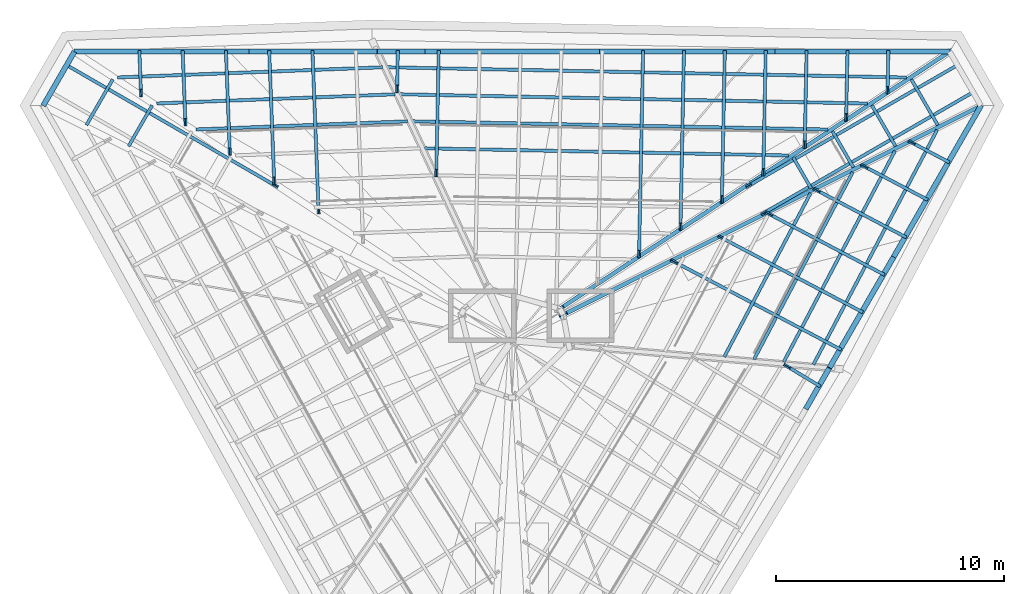
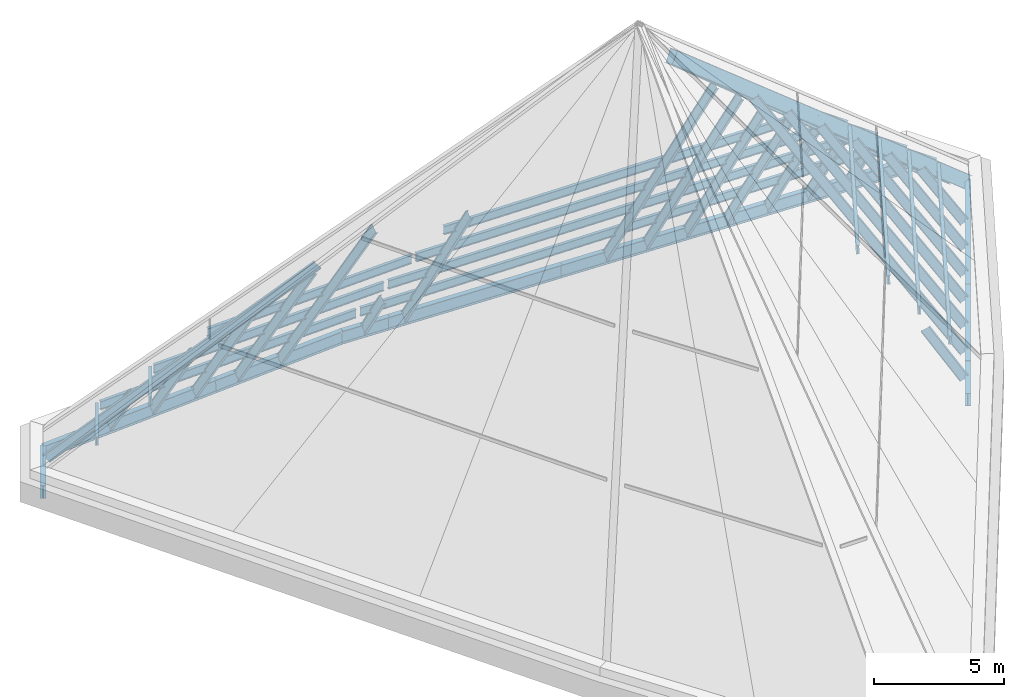
# One storey, part 3 of 6: 43 members, 10 beams.
"""IFC4 building model written with IfcOpenShell, lengths in metres."""

from ifc_helpers import new_model, si_unit, direction, frame, origin, origin_2d, place, context, subcontext, project, spatial, i_section, extrude, material, material_profile, profile_set, type_object, element, save


model = new_model("IFC4")

# Units and contexts
model_context = context("Model", 3, precision=1e-05, world=origin(), true_north=direction((0.0, 1.0)))
body_context = subcontext(model_context, "Body", "Model", "MODEL_VIEW")
ifc_project = project(units=[si_unit("LENGTHUNIT", "METRE"), si_unit("AREAUNIT", "SQUARE_METRE"), si_unit("VOLUMEUNIT", "CUBIC_METRE"), si_unit("PLANEANGLEUNIT", "RADIAN"), si_unit("MASSUNIT", "GRAM", prefix="KILO")], contexts=[model_context])

# Site, building, storey
site_placement = place(None, origin())
site = spatial("IfcSite", under=ifc_project, at=site_placement, CompositionType="ELEMENT")
building_placement = place(site_placement, origin())
building = spatial("IfcBuilding", under=site, at=building_placement, Name="Verrane Prism Tower", CompositionType="ELEMENT")
storey_placement = place(building_placement, frame((0.0, 0.0, 333.60009765625)))
storey = spatial("IfcBuildingStorey", under=building, at=storey_placement, Name="Roof", CompositionType="ELEMENT", Elevation=333.60009765625)

# Members
ifc_material_1 = material(Name="Steel A992", Category="steel")
ifc_material_profile_1 = material_profile(ifc_material_1, i_section(OverallWidth=0.140380859375, OverallDepth=0.40380859375, WebThickness=0.007080078125, FlangeThickness=0.01123046875, FilletRadius=0.01025390625, at=origin_2d()), Name="W16x31")
ifc_profile_set_1 = profile_set([ifc_material_profile_1], Name="Steel A992")
member_type_1 = type_object("IfcMemberType", Name="Common rafter W16x31", PredefinedType="RAFTER", material=ifc_profile_set_1)
member_1_placement = place(storey_placement, frame((20.0986328125, 10.8154296875, -0.71142578125), z_axis=(-0.652629324317, -0.376804131599, 0.657338277792), x_axis=(0.500008375347, -0.866020568222, 0.0)))
element("IfcMember", 1, at=member_1_placement, inside=storey, type_object=member_type_1, Name="Common rafter", PredefinedType="RAFTER", context=body_context, shape_type="SweptSolid", body=[
    extrude(i_section(OverallWidth=0.140380859375, OverallDepth=0.40380859375, WebThickness=0.007080078125, FlangeThickness=0.01123046875, FilletRadius=0.01025390625, at=origin_2d()), origin(), (0.0, 0.0, 1.0), 13.894775390625),
])
member_2_placement = place(storey_placement, frame((19.41357421875, 12.00048828125, -0.710693359375), z_axis=(-0.65263057694, -0.376809648609, 0.657333871605), x_axis=(0.500013146181, -0.8660178137, 0.0)))
element("IfcMember", 2, at=member_2_placement, inside=storey, type_object=member_type_1, Name="Common rafter", PredefinedType="RAFTER", context=body_context, shape_type="SweptSolid", body=[
    extrude(i_section(OverallWidth=0.140380859375, OverallDepth=0.40380859375, WebThickness=0.007080078125, FlangeThickness=0.01123046875, FilletRadius=0.01025390625, at=origin_2d()), origin(), (0.0, 0.0, 1.0), 13.859619140625),
])
member_3_placement = place(storey_placement, frame((16.481689453125, 12.535888671875, -0.6572265625), z_axis=(-0.010750471834, -0.5456499326, 0.83794425734), x_axis=(0.999805969309, -0.019698318043, 0.0)))
element("IfcMember", 3, at=member_3_placement, inside=storey, type_object=member_type_1, Name="Common rafter", PredefinedType="RAFTER", context=body_context, shape_type="SweptSolid", body=[
    extrude(i_section(OverallWidth=0.140380859375, OverallDepth=0.40380859375, WebThickness=0.007080078125, FlangeThickness=0.01123046875, FilletRadius=0.01025390625, at=origin_2d()), origin(), (0.0, 0.0, 1.0), 2.884033203125),
])
member_4_placement = place(storey_placement, frame((14.69091796875, 12.535888671875, -0.602783203125), z_axis=(-0.010769196954, -0.545671363505, 0.837930061191), x_axis=(0.999805308284, -0.019731840445, 0.0)))
element("IfcMember", 4, at=member_4_placement, inside=storey, type_object=member_type_1, Name="Common rafter", PredefinedType="RAFTER", context=body_context, shape_type="SweptSolid", body=[
    extrude(i_section(OverallWidth=0.140380859375, OverallDepth=0.40380859375, WebThickness=0.007080078125, FlangeThickness=0.01123046875, FilletRadius=0.01025390625, at=origin_2d()), origin(), (0.0, 0.0, 1.0), 5.078125),
])
member_5_placement = place(storey_placement, frame((12.900146484375, 12.535888671875, -0.548583984375), z_axis=(-0.010776017069, -0.545649163378, 0.837944430115), x_axis=(0.999805045824, -0.019745134718, 0.0)))
element("IfcMember", 5, at=member_5_placement, inside=storey, type_object=member_type_1, Name="Common rafter", PredefinedType="RAFTER", context=body_context, shape_type="SweptSolid", body=[
    extrude(i_section(OverallWidth=0.140380859375, OverallDepth=0.40380859375, WebThickness=0.007080078125, FlangeThickness=0.01123046875, FilletRadius=0.01025390625, at=origin_2d()), origin(), (0.0, 0.0, 1.0), 7.2724609375),
])
member_6_placement = place(storey_placement, frame((11.109619140625, 12.535888671875, -0.494384765625), z_axis=(-0.01077990837, -0.545649046172, 0.837944456386), x_axis=(0.999804904957, -0.019752266295, 0.0)))
element("IfcMember", 6, at=member_6_placement, inside=storey, type_object=member_type_1, Name="Common rafter", PredefinedType="RAFTER", context=body_context, shape_type="SweptSolid", body=[
    extrude(i_section(OverallWidth=0.140380859375, OverallDepth=0.40380859375, WebThickness=0.007080078125, FlangeThickness=0.01123046875, FilletRadius=0.01025390625, at=origin_2d()), origin(), (0.0, 0.0, 1.0), 9.466796875),
])
member_7_placement = place(storey_placement, frame((9.31884765625, 12.535888671875, -0.43994140625), z_axis=(-0.010782335244, -0.54564897307, 0.837944472763), x_axis=(0.999804817077, -0.01975671402, 0.0)))
element("IfcMember", 7, at=member_7_placement, inside=storey, type_object=member_type_1, Name="Common rafter", PredefinedType="RAFTER", context=body_context, shape_type="SweptSolid", body=[
    extrude(i_section(OverallWidth=0.140380859375, OverallDepth=0.40380859375, WebThickness=0.007080078125, FlangeThickness=0.01123046875, FilletRadius=0.01025390625, at=origin_2d()), origin(), (0.0, 0.0, 1.0), 11.660888671875),
])
member_8_placement = place(storey_placement, frame((7.528076171875, 12.535888671875, -0.385498046875), z_axis=(-0.010784152674, -0.545656979905, 0.837939235465), x_axis=(0.999804757021, -0.019759752997, 0.0)))
element("IfcMember", 8, at=member_8_placement, inside=storey, type_object=member_type_1, Name="Common rafter", PredefinedType="RAFTER", context=body_context, shape_type="SweptSolid", body=[
    extrude(i_section(OverallWidth=0.140380859375, OverallDepth=0.40380859375, WebThickness=0.007080078125, FlangeThickness=0.01123046875, FilletRadius=0.01025390625, at=origin_2d()), origin(), (0.0, 0.0, 1.0), 13.85498046875),
])
member_9_placement = place(storey_placement, frame((5.7373046875, 12.535888671875, -0.331298828125), z_axis=(-0.010770125441, -0.54565593157, 0.837940098539), x_axis=(0.99980526371, -0.019734098877, 0.0)))
element("IfcMember", 9, at=member_9_placement, inside=storey, type_object=member_type_1, Name="Common rafter", PredefinedType="RAFTER", context=body_context, shape_type="SweptSolid", body=[
    extrude(i_section(OverallWidth=0.140380859375, OverallDepth=0.40380859375, WebThickness=0.007080078125, FlangeThickness=0.01123046875, FilletRadius=0.01025390625, at=origin_2d()), origin(), (0.0, 0.0, 1.0), 16.049072265625),
])
member_10_placement = place(storey_placement, frame((-3.21630859375, 12.535888671875, -0.059814453125), z_axis=(-0.01076701048, -0.545664930146, 0.837934278744), x_axis=(0.999805382722, -0.019728068341, 0.0)))
element("IfcMember", 10, at=member_10_placement, inside=storey, type_object=member_type_1, Name="Common rafter", PredefinedType="RAFTER", context=body_context, shape_type="SweptSolid", body=[
    extrude(i_section(OverallWidth=0.140380859375, OverallDepth=0.40380859375, WebThickness=0.007080078125, FlangeThickness=0.01123046875, FilletRadius=0.01025390625, at=origin_2d()), origin(), (0.0, 0.0, 1.0), 9.546142578125),
])
member_11_placement = place(storey_placement, frame((-5.0068359375, 12.535888671875, -0.005615234375), z_axis=(-0.010828306995, -0.545606952434, 0.837971241286), x_axis=(0.999803119338, -0.01984244347, 0.0)))
element("IfcMember", 11, at=member_11_placement, inside=storey, type_object=member_type_1, Name="Common rafter", PredefinedType="RAFTER", context=body_context, shape_type="SweptSolid", body=[
    extrude(i_section(OverallWidth=0.140380859375, OverallDepth=0.40380859375, WebThickness=0.007080078125, FlangeThickness=0.01123046875, FilletRadius=0.01025390625, at=origin_2d()), origin(), (0.0, 0.0, 1.0), 2.795654296875),
])
member_12_placement = place(storey_placement, frame((-8.7392578125, 12.535888671875, -0.138916015625), z_axis=(0.021309219692, -0.555507945008, 0.831238136871), x_axis=(0.99926507067, 0.038331691046, 0.0)))
element("IfcMember", 12, at=member_12_placement, inside=storey, type_object=member_type_1, Name="Common rafter", PredefinedType="RAFTER", context=body_context, shape_type="SweptSolid", body=[
    extrude(i_section(OverallWidth=0.140380859375, OverallDepth=0.40380859375, WebThickness=0.007080078125, FlangeThickness=0.01123046875, FilletRadius=0.01025390625, at=origin_2d()), origin(), (0.0, 0.0, 1.0), 12.304931640625),
])
member_13_placement = place(storey_placement, frame((-10.635009765625, 12.535888671875, -0.247314453125), z_axis=(0.021301148852, -0.555515396846, 0.831233363698), x_axis=(0.999265646339, 0.038316681043, 0.0)))
element("IfcMember", 13, at=member_13_placement, inside=storey, type_object=member_type_1, Name="Common rafter", PredefinedType="RAFTER", context=body_context, shape_type="SweptSolid", body=[
    extrude(i_section(OverallWidth=0.140380859375, OverallDepth=0.40380859375, WebThickness=0.007080078125, FlangeThickness=0.01123046875, FilletRadius=0.01025390625, at=origin_2d()), origin(), (0.0, 0.0, 1.0), 9.994384765625),
])
member_14_placement = place(storey_placement, frame((-12.530517578125, 12.535888671875, -0.356201171875), z_axis=(0.02128709972, -0.555497987317, 0.831245358166), x_axis=(0.999266567719, 0.038292644725, 0.0)))
element("IfcMember", 14, at=member_14_placement, inside=storey, type_object=member_type_1, Name="Common rafter", PredefinedType="RAFTER", context=body_context, shape_type="SweptSolid", body=[
    extrude(i_section(OverallWidth=0.140380859375, OverallDepth=0.40380859375, WebThickness=0.007080078125, FlangeThickness=0.01123046875, FilletRadius=0.01025390625, at=origin_2d()), origin(), (0.0, 0.0, 1.0), 7.68408203125),
])
member_15_placement = place(storey_placement, frame((-14.42626953125, 12.535888671875, -0.464599609375), z_axis=(0.021262577934, -0.555507564963, 0.831239585227), x_axis=(0.999268279859, 0.038247939394, 0.0)))
element("IfcMember", 15, at=member_15_placement, inside=storey, type_object=member_type_1, Name="Common rafter", PredefinedType="RAFTER", context=body_context, shape_type="SweptSolid", body=[
    extrude(i_section(OverallWidth=0.140380859375, OverallDepth=0.40380859375, WebThickness=0.007080078125, FlangeThickness=0.01123046875, FilletRadius=0.01025390625, at=origin_2d()), origin(), (0.0, 0.0, 1.0), 5.373779296875),
])
member_16_placement = place(storey_placement, frame((-16.322021484375, 12.535888671875, -0.5732421875), z_axis=(0.021280729322, -0.555530649334, 0.831223693244), x_axis=(0.99926709224, 0.038278954609, 0.0)))
element("IfcMember", 16, at=member_16_placement, inside=storey, type_object=member_type_1, Name="Common rafter", PredefinedType="RAFTER", context=body_context, shape_type="SweptSolid", body=[
    extrude(i_section(OverallWidth=0.140380859375, OverallDepth=0.40380859375, WebThickness=0.007080078125, FlangeThickness=0.01123046875, FilletRadius=0.01025390625, at=origin_2d()), origin(), (0.0, 0.0, 1.0), 3.063232421875),
])
member_17_placement = place(storey_placement, frame((-19.41357421875, 12.00048828125, -0.710693359375), z_axis=(0.65263057694, -0.376809648609, 0.657333871605), x_axis=(0.500013146181, 0.8660178137, 0.0)))
element("IfcMember", 17, at=member_17_placement, inside=storey, type_object=member_type_1, Name="Common rafter", PredefinedType="RAFTER", context=body_context, shape_type="SweptSolid", body=[
    extrude(i_section(OverallWidth=0.140380859375, OverallDepth=0.40380859375, WebThickness=0.007080078125, FlangeThickness=0.01123046875, FilletRadius=0.01025390625, at=origin_2d()), origin(), (0.0, 0.0, 1.0), 13.859619140625),
])
member_18_placement = place(storey_placement, frame((13.354736328125, -1.9267578125, 0.005126953125), z_axis=(-0.467150677319, 0.282195004253, 0.837935692195), x_axis=(-0.517059445273, -0.855949490364, 0.0)))
element("IfcMember", 18, at=member_18_placement, inside=storey, type_object=member_type_1, Name="Common rafter", PredefinedType="RAFTER", context=body_context, shape_type="SweptSolid", body=[
    extrude(i_section(OverallWidth=0.140380859375, OverallDepth=0.40380859375, WebThickness=0.007080078125, FlangeThickness=0.01123046875, FilletRadius=0.01025390625, at=origin_2d()), origin(), (0.0, 0.0, 1.0), 2.79443359375),
])
member_19_placement = place(storey_placement, frame((14.273193359375, -0.3359375, -0.02001953125), z_axis=(-0.491724468789, 0.259288101394, 0.831250099109), x_axis=(-0.466430556433, -0.884557819493, 0.0)))
element("IfcMember", 19, at=member_19_placement, inside=storey, type_object=member_type_1, Name="Common rafter", PredefinedType="RAFTER", context=body_context, shape_type="SweptSolid", body=[
    extrude(i_section(OverallWidth=0.140380859375, OverallDepth=0.40380859375, WebThickness=0.007080078125, FlangeThickness=0.01123046875, FilletRadius=0.01025390625, at=origin_2d()), origin(), (0.0, 0.0, 1.0), 14.60205078125),
])
member_20_placement = place(storey_placement, frame((15.221923828125, 1.305419921875, -0.1298828125), z_axis=(-0.491738109746, 0.259293453637, 0.831240360139), x_axis=(-0.466427965687, -0.884559185597, 0.0)))
element("IfcMember", 20, at=member_20_placement, inside=storey, type_object=member_type_1, Name="Common rafter", PredefinedType="RAFTER", context=body_context, shape_type="SweptSolid", body=[
    extrude(i_section(OverallWidth=0.140380859375, OverallDepth=0.40380859375, WebThickness=0.007080078125, FlangeThickness=0.01123046875, FilletRadius=0.01025390625, at=origin_2d()), origin(), (0.0, 0.0, 1.0), 12.2939453125),
])
member_21_placement = place(storey_placement, frame((16.17041015625, 2.94677734375, -0.239501953125), z_axis=(-0.491740969697, 0.259318055121, 0.831230993774), x_axis=(-0.466460468442, -0.884542046135, 0.0)))
element("IfcMember", 21, at=member_21_placement, inside=storey, type_object=member_type_1, Name="Common rafter", PredefinedType="RAFTER", context=body_context, shape_type="SweptSolid", body=[
    extrude(i_section(OverallWidth=0.140380859375, OverallDepth=0.40380859375, WebThickness=0.007080078125, FlangeThickness=0.01123046875, FilletRadius=0.01025390625, at=origin_2d()), origin(), (0.0, 0.0, 1.0), 9.9853515625),
])
member_22_placement = place(storey_placement, frame((17.118896484375, 4.58837890625, -0.349365234375), z_axis=(-0.491727661324, 0.259284414874, 0.831249360476), x_axis=(-0.466422998072, -0.884561805003, 0.0)))
element("IfcMember", 22, at=member_22_placement, inside=storey, type_object=member_type_1, Name="Common rafter", PredefinedType="RAFTER", context=body_context, shape_type="SweptSolid", body=[
    extrude(i_section(OverallWidth=0.140380859375, OverallDepth=0.40380859375, WebThickness=0.007080078125, FlangeThickness=0.01123046875, FilletRadius=0.01025390625, at=origin_2d()), origin(), (0.0, 0.0, 1.0), 7.6767578125),
])
member_23_placement = place(storey_placement, frame((18.067626953125, 6.229736328125, -0.459228515625), z_axis=(-0.491760270142, 0.259295086032, 0.83122674107), x_axis=(-0.46641381691, -0.884566646101, 0.0)))
element("IfcMember", 23, at=member_23_placement, inside=storey, type_object=member_type_1, Name="Common rafter", PredefinedType="RAFTER", context=body_context, shape_type="SweptSolid", body=[
    extrude(i_section(OverallWidth=0.140380859375, OverallDepth=0.40380859375, WebThickness=0.007080078125, FlangeThickness=0.01123046875, FilletRadius=0.01025390625, at=origin_2d()), origin(), (0.0, 0.0, 1.0), 5.36865234375),
])
member_24_placement = place(storey_placement, frame((19.01611328125, 7.87109375, -0.569091796875), z_axis=(-0.491731272572, 0.259267786479, 0.831252410805), x_axis=(-0.466396912359, -0.884575559317, 0.0)))
element("IfcMember", 24, at=member_24_placement, inside=storey, type_object=member_type_1, Name="Common rafter", PredefinedType="RAFTER", context=body_context, shape_type="SweptSolid", body=[
    extrude(i_section(OverallWidth=0.140380859375, OverallDepth=0.40380859375, WebThickness=0.007080078125, FlangeThickness=0.01123046875, FilletRadius=0.01025390625, at=origin_2d()), origin(), (0.0, 0.0, 1.0), 3.060302734375),
])

# Beams
ifc_material_2 = material(Name="Steel A992", Category="steel")
ifc_material_profile_2 = material_profile(ifc_material_2, i_section(OverallWidth=0.228271484375, OverallDepth=0.607177734375, WebThickness=0.01123046875, FlangeThickness=0.017333984375, FilletRadius=0.0126953125, at=origin_2d()), Name="W24x76")
ifc_profile_set_2 = profile_set([ifc_material_profile_2], Name="Steel A992")
beam_type = type_object("IfcBeamType", Name="Eave ring beam W24x76", PredefinedType="BEAM", material=ifc_profile_set_2)
for number, where, z_axis, x_axis, name in (
    (25, (19.169921875, 12.64990234375, -0.847412109375), (-0.999541179145, 0.0, 0.030289126641), (0.0, -1.0, 0.0), "Eave ring beam"),
    (26, (11.5, 12.64990234375, -0.614990234375), (-0.999540215395, 0.0, 0.030320913715), (0.0, -1.0, 0.0), "Eave ring beam"),
):
    element("IfcBeam", number, at=place(storey_placement, frame(where, z_axis=z_axis, x_axis=x_axis)), inside=storey, type_object=beam_type, Name=name, PredefinedType="BEAM", context=body_context, shape_type="SweptSolid", body=[
        extrude(i_section(OverallWidth=0.228271484375, OverallDepth=0.607177734375, WebThickness=0.01123046875, FlangeThickness=0.017333984375, FilletRadius=0.0126953125, at=origin_2d()), origin(), (0.0, 0.0, 1.0), 7.67333984375),
    ])
beam_1_placement = place(storey_placement, frame((3.830078125, 12.64990234375, -0.38232421875), z_axis=(-0.999540009343, 0.0, 0.030327705536), x_axis=(0.0, -1.0, 0.0)))
element("IfcBeam", 27, at=beam_1_placement, inside=storey, type_object=beam_type, Name="Eave ring beam", PredefinedType="BEAM", context=body_context, shape_type="SweptSolid", body=[
    extrude(i_section(OverallWidth=0.228271484375, OverallDepth=0.607177734375, WebThickness=0.01123046875, FlangeThickness=0.017333984375, FilletRadius=0.0126953125, at=origin_2d()), origin(), (0.0, 0.0, 1.0), 7.66357421875),
])
beam_2_placement = place(storey_placement, frame((-3.830078125, 12.64990234375, -0.14990234375), z_axis=(-0.999540854598, 0.0, 0.030299834823), x_axis=(0.0, -1.0, 0.0)))
element("IfcBeam", 28, at=beam_2_placement, inside=storey, type_object=beam_type, Name="Eave ring beam", PredefinedType="BEAM", context=body_context, shape_type="SweptSolid", body=[
    extrude(i_section(OverallWidth=0.228271484375, OverallDepth=0.607177734375, WebThickness=0.01123046875, FlangeThickness=0.017333984375, FilletRadius=0.0126953125, at=origin_2d()), origin(), (0.0, 0.0, 1.0), 2.07080078125),
])
beam_3_placement = place(storey_placement, frame((-5.89990234375, 12.64990234375, -0.0869140625), z_axis=(-0.998363249918, 0.0, -0.057191093835), x_axis=(0.0, -1.0, 0.0)))
element("IfcBeam", 29, at=beam_3_placement, inside=storey, type_object=beam_type, Name="Eave ring beam", PredefinedType="BEAM", context=body_context, shape_type="SweptSolid", body=[
    extrude(i_section(OverallWidth=0.228271484375, OverallDepth=0.607177734375, WebThickness=0.01123046875, FlangeThickness=0.017333984375, FilletRadius=0.0126953125, at=origin_2d()), origin(), (0.0, 0.0, 1.0), 5.609375),
])
beam_4_placement = place(storey_placement, frame((-11.5, 12.64990234375, -0.40771484375), z_axis=(-0.998360819418, 0.0, -0.057233506359), x_axis=(0.0, -1.0, 0.0)))
element("IfcBeam", 30, at=beam_4_placement, inside=storey, type_object=beam_type, Name="Eave ring beam", PredefinedType="BEAM", context=body_context, shape_type="SweptSolid", body=[
    extrude(i_section(OverallWidth=0.228271484375, OverallDepth=0.607177734375, WebThickness=0.01123046875, FlangeThickness=0.017333984375, FilletRadius=0.0126953125, at=origin_2d()), origin(), (0.0, 0.0, 1.0), 7.6826171875),
])
beam_5_placement = place(storey_placement, frame((-19.169921875, 12.64990234375, -0.845703125), z_axis=(-0.500512299479, -0.865729310591, -0.000445930416), x_axis=(0.865729396668, -0.500512349243, 0.0)))
element("IfcBeam", 31, at=beam_5_placement, inside=storey, type_object=beam_type, Name="Eave ring beam", PredefinedType="BEAM", context=body_context, shape_type="SweptSolid", body=[
    extrude(i_section(OverallWidth=0.228271484375, OverallDepth=0.607177734375, WebThickness=0.01123046875, FlangeThickness=0.017333984375, FilletRadius=0.0126953125, at=origin_2d()), origin(), (0.0, 0.0, 1.0), 2.737548828125),
])
beam_6_placement = place(storey_placement, frame((12.8701171875, -3.0, -0.143310546875), z_axis=(0.498392452202, 0.866337946786, 0.032611739404), x_axis=(-0.866799000845, 0.498657690339, 0.0)))
element("IfcBeam", 32, at=beam_6_placement, inside=storey, type_object=beam_type, Name="Eave ring beam", PredefinedType="BEAM", context=body_context, shape_type="SweptSolid", body=[
    extrude(i_section(OverallWidth=0.228271484375, OverallDepth=0.607177734375, WebThickness=0.01123046875, FlangeThickness=0.017333984375, FilletRadius=0.0126953125, at=origin_2d()), origin(), (0.0, 0.0, 1.0), 2.066162109375),
])
beam_7_placement = place(storey_placement, frame((13.89990234375, -1.2099609375, -0.076171875), z_axis=(0.500449091968, 0.863720348561, -0.059479961582), x_axis=(-0.865252277936, 0.501336708736, 0.0)))
element("IfcBeam", 33, at=beam_7_placement, inside=storey, type_object=beam_type, Name="Eave ring beam", PredefinedType="BEAM", context=body_context, shape_type="SweptSolid", body=[
    extrude(i_section(OverallWidth=0.228271484375, OverallDepth=0.607177734375, WebThickness=0.01123046875, FlangeThickness=0.017333984375, FilletRadius=0.0126953125, at=origin_2d()), origin(), (0.0, 0.0, 1.0), 5.614990234375),
])
beam_8_placement = place(storey_placement, frame((16.7099609375, 3.639892578125, -0.41015625), z_axis=(0.498846112348, 0.864840423486, -0.056600336562), x_axis=(-0.866229061425, 0.499647088596, 0.0)))
element("IfcBeam", 34, at=beam_8_placement, inside=storey, type_object=beam_type, Name="Eave ring beam", PredefinedType="BEAM", context=body_context, shape_type="SweptSolid", body=[
    extrude(i_section(OverallWidth=0.228271484375, OverallDepth=0.607177734375, WebThickness=0.01123046875, FlangeThickness=0.017333984375, FilletRadius=0.0126953125, at=origin_2d()), origin(), (0.0, 0.0, 1.0), 7.677978515625),
])

# Members
ifc_material_3 = material(Name="Steel A992", Category="steel")
ifc_material_profile_3 = material_profile(ifc_material_3, i_section(OverallWidth=0.177978515625, OverallDepth=0.599365234375, WebThickness=0.010009765625, FlangeThickness=0.012939453125, FilletRadius=0.012939453125, at=origin_2d()), Name="W24x55")
ifc_profile_set_3 = profile_set([ifc_material_profile_3], Name="Steel A992")
member_type_2 = type_object("IfcMemberType", Name="Hip rafter W24x55", PredefinedType="RAFTER", material=ifc_profile_set_3)
member_25_placement = place(storey_placement, frame((20.5400390625, 10.280029296875, -0.670166015625), z_axis=(-0.674423998165, -0.337576396963, 0.656653978068), x_axis=(0.44760008437, -0.894233842164, 0.0)))
element("IfcMember", 35, at=member_25_placement, inside=storey, type_object=member_type_2, Name="Hip rafter", PredefinedType="RAFTER", context=body_context, shape_type="SweptSolid", body=[
    extrude(i_section(OverallWidth=0.177978515625, OverallDepth=0.599365234375, WebThickness=0.010009765625, FlangeThickness=0.012939453125, FilletRadius=0.012939453125, at=origin_2d()), origin(), (0.0, 0.0, 1.0), 27.13427734375),
])
member_26_placement = place(storey_placement, frame((19.169921875, 12.64990234375, -0.67431640625), z_axis=(-0.629473540943, -0.415354101645, 0.656691732474), x_axis=(0.550751286036, -0.834669408167, 0.0)))
element("IfcMember", 36, at=member_26_placement, inside=storey, type_object=member_type_2, Name="Hip rafter", PredefinedType="RAFTER", context=body_context, shape_type="SweptSolid", body=[
    extrude(i_section(OverallWidth=0.177978515625, OverallDepth=0.599365234375, WebThickness=0.010009765625, FlangeThickness=0.012939453125, FilletRadius=0.012939453125, at=origin_2d()), origin(), (0.0, 0.0, 1.0), 27.133544921875),
])
ifc_material_4 = material(Name="Steel A992", Category="steel")
ifc_material_profile_4 = material_profile(ifc_material_4, i_section(OverallWidth=0.140380859375, OverallDepth=0.40380859375, WebThickness=0.007080078125, FlangeThickness=0.01123046875, FilletRadius=0.01025390625, at=origin_2d()), Name="W16x31")
ifc_profile_set_4 = profile_set([ifc_material_profile_4], Name="Steel A992")
member_type_3 = type_object("IfcMemberType", Name="Purlin W16x31", PredefinedType="PURLIN", material=ifc_profile_set_4)
member_27_placement = place(storey_placement, frame((18.647216796875, 9.432373046875, 1.396728515625), z_axis=(-0.499953951347, 0.866051988355, 0.0), x_axis=(-0.866051988355, -0.499953951347, 0.0)))
element("IfcMember", 37, at=member_27_placement, inside=storey, type_object=member_type_3, Name="Purlin", PredefinedType="PURLIN", context=body_context, shape_type="SweptSolid", body=[
    extrude(i_section(OverallWidth=0.140380859375, OverallDepth=0.40380859375, WebThickness=0.007080078125, FlangeThickness=0.01123046875, FilletRadius=0.01025390625, at=origin_2d()), origin(), (0.0, 0.0, 1.0), 2.312744140625),
])
member_28_placement = place(storey_placement, frame((16.798583984375, 8.507080078125, 3.19677734375), z_axis=(-0.500001996123, 0.866024251319, 0.0), x_axis=(-0.866024251319, -0.500001996123, 0.0)))
element("IfcMember", 38, at=member_28_placement, inside=storey, type_object=member_type_3, Name="Purlin", PredefinedType="PURLIN", context=body_context, shape_type="SweptSolid", body=[
    extrude(i_section(OverallWidth=0.140380859375, OverallDepth=0.40380859375, WebThickness=0.007080078125, FlangeThickness=0.01123046875, FilletRadius=0.01025390625, at=origin_2d()), origin(), (0.0, 0.0, 1.0), 2.06640625),
])
member_29_placement = place(storey_placement, frame((14.949951171875, 7.581787109375, 4.99658203125), z_axis=(-0.499904359745, 0.86608061467, 0.0), x_axis=(-0.86608061467, -0.499904359745, 0.0)))
element("IfcMember", 39, at=member_29_placement, inside=storey, type_object=member_type_3, Name="Purlin", PredefinedType="PURLIN", context=body_context, shape_type="SweptSolid", body=[
    extrude(i_section(OverallWidth=0.140380859375, OverallDepth=0.40380859375, WebThickness=0.007080078125, FlangeThickness=0.01123046875, FilletRadius=0.01025390625, at=origin_2d()), origin(), (0.0, 0.0, 1.0), 1.820068359375),
])
member_30_placement = place(storey_placement, frame((13.101318359375, 6.656494140625, 6.796630859375), z_axis=(-0.499959680857, 0.866048680801, 0.0), x_axis=(-0.866048680801, -0.499959680857, 0.0)))
element("IfcMember", 40, at=member_30_placement, inside=storey, type_object=member_type_3, Name="Purlin", PredefinedType="PURLIN", context=body_context, shape_type="SweptSolid", body=[
    extrude(i_section(OverallWidth=0.140380859375, OverallDepth=0.40380859375, WebThickness=0.007080078125, FlangeThickness=0.01123046875, FilletRadius=0.01025390625, at=origin_2d()), origin(), (0.0, 0.0, 1.0), 1.573974609375),
])
member_31_placement = place(storey_placement, frame((17.287841796875, 11.5146484375, 1.35009765625), z_axis=(-0.999804810651, 0.019757039254, 0.0), x_axis=(-0.019757039254, -0.999804810651, 0.0)))
element("IfcMember", 41, at=member_31_placement, inside=storey, type_object=member_type_3, Name="Purlin", PredefinedType="PURLIN", context=body_context, shape_type="SweptSolid", body=[
    extrude(i_section(OverallWidth=0.140380859375, OverallDepth=0.40380859375, WebThickness=0.007080078125, FlangeThickness=0.01123046875, FilletRadius=0.01025390625, at=origin_2d()), origin(), (0.0, 0.0, 1.0), 22.774169921875),
])
member_32_placement = place(storey_placement, frame((15.5625, 10.376220703125, 3.150146484375), z_axis=(-0.999804972991, 0.019748822288, 0.0), x_axis=(-0.019748822288, -0.999804972991, 0.0)))
element("IfcMember", 42, at=member_32_placement, inside=storey, type_object=member_type_3, Name="Purlin", PredefinedType="PURLIN", context=body_context, shape_type="SweptSolid", body=[
    extrude(i_section(OverallWidth=0.140380859375, OverallDepth=0.40380859375, WebThickness=0.007080078125, FlangeThickness=0.01123046875, FilletRadius=0.01025390625, at=origin_2d()), origin(), (0.0, 0.0, 1.0), 20.49658203125),
])
member_33_placement = place(storey_placement, frame((13.837158203125, 9.237548828125, 4.9501953125), z_axis=(-0.999804906058, 0.019752210582, 0.0), x_axis=(-0.019752210582, -0.999804906058, 0.0)))
element("IfcMember", 43, at=member_33_placement, inside=storey, type_object=member_type_3, Name="Purlin", PredefinedType="PURLIN", context=body_context, shape_type="SweptSolid", body=[
    extrude(i_section(OverallWidth=0.140380859375, OverallDepth=0.40380859375, WebThickness=0.007080078125, FlangeThickness=0.01123046875, FilletRadius=0.01025390625, at=origin_2d()), origin(), (0.0, 0.0, 1.0), 18.218994140625),
])
member_34_placement = place(storey_placement, frame((12.11181640625, 8.09912109375, 6.75), z_axis=(-0.999804819979, 0.019756567167, 0.0), x_axis=(-0.019756567167, -0.999804819979, 0.0)))
element("IfcMember", 44, at=member_34_placement, inside=storey, type_object=member_type_3, Name="Purlin", PredefinedType="PURLIN", context=body_context, shape_type="SweptSolid", body=[
    extrude(i_section(OverallWidth=0.140380859375, OverallDepth=0.40380859375, WebThickness=0.007080078125, FlangeThickness=0.01123046875, FilletRadius=0.01025390625, at=origin_2d()), origin(), (0.0, 0.0, 1.0), 15.941162109375),
])
member_35_placement = place(storey_placement, frame((-5.677734375, 11.962890625, 1.35302734375), z_axis=(-0.999264955086, -0.038334704091, 0.0), x_axis=(0.038334704091, -0.999264955086, 0.0)))
element("IfcMember", 45, at=member_35_placement, inside=storey, type_object=member_type_3, Name="Purlin", PredefinedType="PURLIN", context=body_context, shape_type="SweptSolid", body=[
    extrude(i_section(OverallWidth=0.140380859375, OverallDepth=0.40380859375, WebThickness=0.007080078125, FlangeThickness=0.01123046875, FilletRadius=0.01025390625, at=origin_2d()), origin(), (0.0, 0.0, 1.0), 11.622802734375),
])
member_36_placement = place(storey_placement, frame((-5.125732421875, 10.779296875, 3.153076171875), z_axis=(-0.999265551291, -0.038319159729, 0.0), x_axis=(0.038319159729, -0.999265551291, 0.0)))
element("IfcMember", 46, at=member_36_placement, inside=storey, type_object=member_type_3, Name="Purlin", PredefinedType="PURLIN", context=body_context, shape_type="SweptSolid", body=[
    extrude(i_section(OverallWidth=0.140380859375, OverallDepth=0.40380859375, WebThickness=0.007080078125, FlangeThickness=0.01123046875, FilletRadius=0.01025390625, at=origin_2d()), origin(), (0.0, 0.0, 1.0), 10.44873046875),
])
member_37_placement = place(storey_placement, frame((-4.57373046875, 9.595947265625, 4.952880859375), z_axis=(-0.999265212989, -0.038327980772, 0.0), x_axis=(0.038327980772, -0.999265212989, 0.0)))
element("IfcMember", 47, at=member_37_placement, inside=storey, type_object=member_type_3, Name="Purlin", PredefinedType="PURLIN", context=body_context, shape_type="SweptSolid", body=[
    extrude(i_section(OverallWidth=0.140380859375, OverallDepth=0.40380859375, WebThickness=0.007080078125, FlangeThickness=0.01123046875, FilletRadius=0.01025390625, at=origin_2d()), origin(), (0.0, 0.0, 1.0), 9.2744140625),
])
member_38_placement = place(storey_placement, frame((-17.490966796875, 11.435302734375, 1.396728515625), z_axis=(-0.499953951347, -0.866051988355, 0.0), x_axis=(0.866051988355, -0.499953951347, 0.0)))
element("IfcMember", 48, at=member_38_placement, inside=storey, type_object=member_type_3, Name="Purlin", PredefinedType="PURLIN", context=body_context, shape_type="SweptSolid", body=[
    extrude(i_section(OverallWidth=0.140380859375, OverallDepth=0.40380859375, WebThickness=0.007080078125, FlangeThickness=0.01123046875, FilletRadius=0.01025390625, at=origin_2d()), origin(), (0.0, 0.0, 1.0), 2.312744140625),
])
member_39_placement = place(storey_placement, frame((-15.765380859375, 10.296630859375, 3.19677734375), z_axis=(-0.500001996123, -0.866024251319, 0.0), x_axis=(0.866024251319, -0.500001996123, 0.0)))
element("IfcMember", 49, at=member_39_placement, inside=storey, type_object=member_type_3, Name="Purlin", PredefinedType="PURLIN", context=body_context, shape_type="SweptSolid", body=[
    extrude(i_section(OverallWidth=0.140380859375, OverallDepth=0.40380859375, WebThickness=0.007080078125, FlangeThickness=0.01123046875, FilletRadius=0.01025390625, at=origin_2d()), origin(), (0.0, 0.0, 1.0), 2.06640625),
])
member_40_placement = place(storey_placement, frame((13.201416015625, -1.059814453125, 1.35302734375), z_axis=(0.466443230283, 0.88455113641, 0.0), x_axis=(-0.88455113641, 0.466443230283, 0.0)))
element("IfcMember", 50, at=member_40_placement, inside=storey, type_object=member_type_3, Name="Purlin", PredefinedType="PURLIN", context=body_context, shape_type="SweptSolid", body=[
    extrude(i_section(OverallWidth=0.140380859375, OverallDepth=0.40380859375, WebThickness=0.007080078125, FlangeThickness=0.01123046875, FilletRadius=0.01025390625, at=origin_2d()), origin(), (0.0, 0.0, 1.0), 11.622314453125),
])
member_41_placement = place(storey_placement, frame((11.900146484375, -0.946533203125, 3.153076171875), z_axis=(0.466447391022, 0.884548942348, 0.0), x_axis=(-0.884548942348, 0.466447391022, 0.0)))
element("IfcMember", 51, at=member_41_placement, inside=storey, type_object=member_type_3, Name="Purlin", PredefinedType="PURLIN", context=body_context, shape_type="SweptSolid", body=[
    extrude(i_section(OverallWidth=0.140380859375, OverallDepth=0.40380859375, WebThickness=0.007080078125, FlangeThickness=0.01123046875, FilletRadius=0.01025390625, at=origin_2d()), origin(), (0.0, 0.0, 1.0), 10.4482421875),
])
member_42_placement = place(storey_placement, frame((10.59912109375, -0.833251953125, 4.952880859375), z_axis=(0.466432007611, 0.88455705428, 0.0), x_axis=(-0.88455705428, 0.466432007611, 0.0)))
element("IfcMember", 52, at=member_42_placement, inside=storey, type_object=member_type_3, Name="Purlin", PredefinedType="PURLIN", context=body_context, shape_type="SweptSolid", body=[
    extrude(i_section(OverallWidth=0.140380859375, OverallDepth=0.40380859375, WebThickness=0.007080078125, FlangeThickness=0.01123046875, FilletRadius=0.01025390625, at=origin_2d()), origin(), (0.0, 0.0, 1.0), 9.27392578125),
])
member_43_placement = place(storey_placement, frame((9.2978515625, -0.719970703125, 6.7529296875), z_axis=(0.466459331054, 0.884542645932, 0.0), x_axis=(-0.884542645932, 0.466459331054, 0.0)))
element("IfcMember", 53, at=member_43_placement, inside=storey, type_object=member_type_3, Name="Purlin", PredefinedType="PURLIN", context=body_context, shape_type="SweptSolid", body=[
    extrude(i_section(OverallWidth=0.140380859375, OverallDepth=0.40380859375, WebThickness=0.007080078125, FlangeThickness=0.01123046875, FilletRadius=0.01025390625, at=origin_2d()), origin(), (0.0, 0.0, 1.0), 8.10009765625),
])

save(model, "model.ifc")
